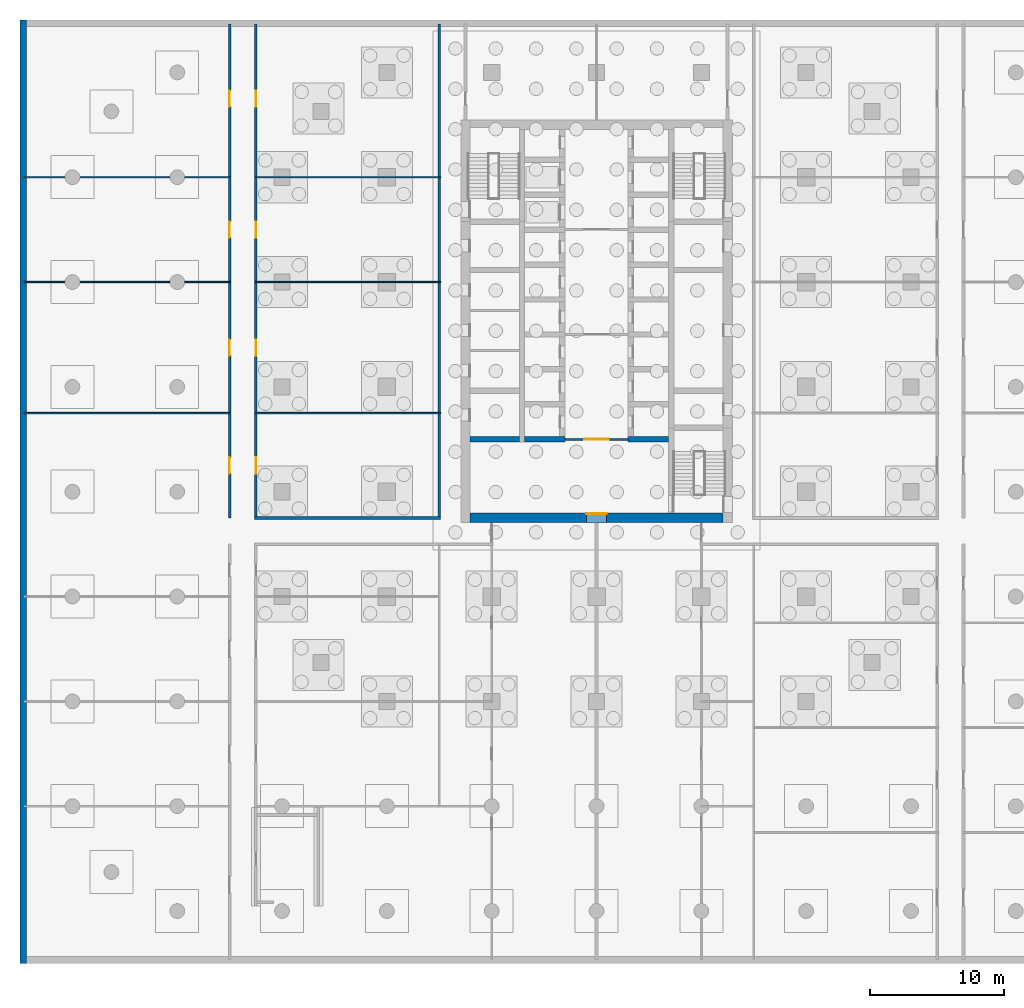
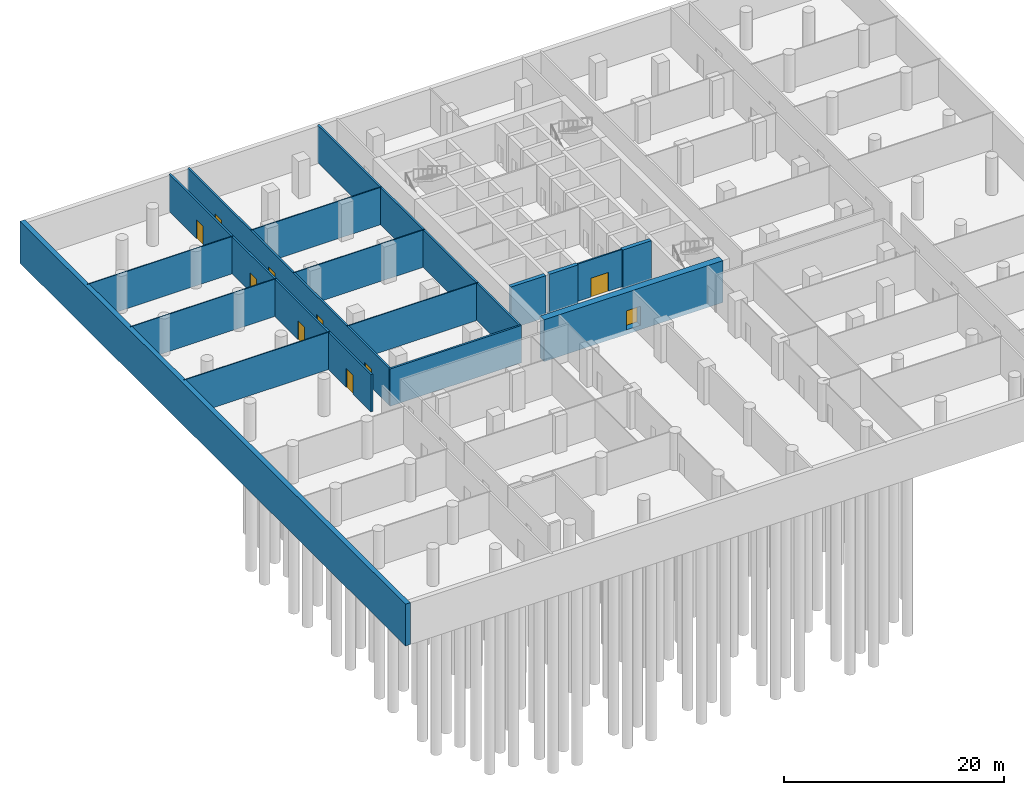
# One storey, part 6 of 16: 16 walls, 10 doors, 10 openings.
"""IFC4 building model written with IfcOpenShell, lengths in metres."""

from ifc_helpers import new_model, si_unit, direction, frame, frame_2d, origin, place, context, subcontext, project, spatial, rectangle, extrude, material, layer, layer_set, type_object, element, fill, save


model = new_model("IFC4")

# Units and contexts
model_context = context("Model", 3, precision=1e-05, world=origin(), true_north=direction((0.0, 1.0)))
body_context = subcontext(model_context, "Body", "Model", "MODEL_VIEW")
ifc_project = project(units=[si_unit("LENGTHUNIT", "METRE"), si_unit("AREAUNIT", "SQUARE_METRE"), si_unit("VOLUMEUNIT", "CUBIC_METRE"), si_unit("PLANEANGLEUNIT", "RADIAN"), si_unit("MASSUNIT", "GRAM", prefix="KILO")], contexts=[model_context])

# Site, building, storey
site_placement = place(None, origin())
site = spatial("IfcSite", under=ifc_project, at=site_placement, CompositionType="ELEMENT")
building_placement = place(site_placement, origin())
building = spatial("IfcBuilding", under=site, at=building_placement, Name="Ludao Terraces", CompositionType="ELEMENT")
storey_placement = place(building_placement, frame((0.0, 0.0, -9.0)))
storey = spatial("IfcBuildingStorey", under=building, at=storey_placement, Name="B2", CompositionType="ELEMENT", Elevation=-9.0)

# Wall
ifc_material_1 = material(Name="Concrete C40", Category="concrete")
ifc_layer_1 = layer(ifc_material_1, 0.5)
ifc_layer_set_1 = layer_set([ifc_layer_1], Name="Basement wall 500 C40")
wall_type_1 = type_object("IfcWallType", Name="Basement wall 500 C40", PredefinedType="SOLIDWALL", material=ifc_layer_set_1)
wall_1_placement = place(storey_placement, frame((42.35009765625, 22.10009765625, -0.5), z_axis=(0.0, 0.0, 1.0), x_axis=(0.0, 1.0, 0.0)))
element("IfcWall", 1, at=wall_1_placement, inside=storey, type_object=wall_type_1, Name="Basement wall W B2", PredefinedType="SOLIDWALL", context=body_context, shape_type="SweptSolid", body=[
    extrude(rectangle(XDim=70.199951171875, YDim=0.5, at=frame_2d((35.10009765625, 0.0))), origin(), (0.0, 0.0, 1.0), 4.64990234375),
])

# Wall, opening, door
ifc_material_2 = material(Name="Concrete C70", Category="concrete")
ifc_layer_2 = layer(ifc_material_2, 0.699951171875)
ifc_layer_set_2 = layer_set([ifc_layer_2], Name="Core wall 700 C70")
wall_type_2 = type_object("IfcWallType", Name="Core wall 700 C70", PredefinedType="SOLIDWALL", material=ifc_layer_set_2)
wall_2_placement = place(storey_placement, frame((75.60009765625, 55.25, -0.5), z_axis=(0.0, 0.0, 1.0), x_axis=(1.0, 0.0, 0.0)))
wall_2 = element("IfcWall", 2, at=wall_2_placement, inside=storey, type_object=wall_type_2, Name="Core wall B2 outer-S", PredefinedType="SOLIDWALL", context=body_context, shape_type="SweptSolid", body=[
    extrude(rectangle(XDim=18.7998046875, YDim=0.699951171875, at=frame_2d((9.39990234375, 0.0))), origin(), (0.0, 0.0, 1.0), 4.64990234375),
])
opening_1_placement = place(wall_2_placement, frame((8.64990234375, 0.0, 0.5)))
opening_1 = element("IfcOpeningElement", 3, at=opening_1_placement, cuts=wall_2, Name="Opening B2-025", PredefinedType="OPENING", context=body_context, shape_type="SweptSolid", body=[
    extrude(rectangle(XDim=1.5, YDim=2.10009765625, at=frame_2d((0.75, 1.050048828125))), frame((0.0, 0.35986328125, 0.0), z_axis=(0.0, -1.0, 0.0), x_axis=(1.0, 0.0, 0.0)), (0.0, 0.0, 1.0), 0.719970703125),
])
ifc_material_3 = material(Name="Steel Q235", Category="steel")
door_type_1 = type_object("IfcDoorType", Name="INT Lobby door 1500", OperationType="DOUBLE_DOOR_SINGLE_SWING", PredefinedType="DOOR", material=ifc_material_3)
door_1_placement = place(opening_1_placement, origin())
door_1 = element("IfcDoor", 4, at=door_1_placement, inside=storey, type_object=door_type_1, Name="DOOR 025", OperationType="DOUBLE_DOOR_SINGLE_SWING", OverallHeight=2.10009765625, OverallWidth=1.5, PredefinedType="DOOR", context=body_context, shape_type="SweptSolid", body=[
    extrude(rectangle(XDim=1.5, YDim=2.10009765625, at=frame_2d((0.75, 1.050048828125))), frame((0.0, 0.3349609375, 0.0), z_axis=(0.0, -1.0, 0.0), x_axis=(1.0, 0.0, 0.0)), (0.0, 0.0, 1.0), 0.050048828125),
])
fill(opening_1, door_1)

ifc_material_4 = material(Name="Fire-rated gypsum plasterboard", Category="gypsum")
ifc_layer_3 = layer(ifc_material_4, 0.012451171875, Category="gypsum")
ifc_material_5 = material(Name="Mineral wool")
ifc_layer_4 = layer(ifc_material_5, 0.10009765625, Name="insulation")
ifc_layer_5 = layer(ifc_material_3, 0.02490234375, Name="stud")
ifc_layer_6 = layer(ifc_material_4, 0.012451171875, Category="gypsum")
ifc_layer_set_3 = layer_set([ifc_layer_3, ifc_layer_4, ifc_layer_5, ifc_layer_6], Name="INT Core partition 150")
wall_type_3 = type_object("IfcWallType", Name="INT Core partition 150", PredefinedType="PARTITIONING", material=ifc_layer_set_3)
wall_3_placement = place(storey_placement, frame((82.650146484375, 61.10009765625, 0.0), z_axis=(0.0, 0.0, 1.0), x_axis=(1.0, 0.0, 0.0)))
wall_3 = element("IfcWall", 5, at=wall_3_placement, inside=storey, type_object=wall_type_3, Name="PW-B2-PW019", PredefinedType="PARTITIONING", context=body_context, shape_type="SweptSolid", body=[
    extrude(rectangle(XDim=4.699951171875, YDim=0.14990234375, at=frame_2d((2.35009765625, 0.0))), origin(), (0.0, 0.0, 1.0), 4.14990234375),
])
opening_2_placement = place(wall_3_placement, frame((1.449951171875, 0.0, 0.0)))
opening_2 = element("IfcOpeningElement", 6, at=opening_2_placement, cuts=wall_3, Name="Opening B2-032", PredefinedType="OPENING", context=body_context, shape_type="SweptSolid", body=[
    extrude(rectangle(XDim=1.800048828125, YDim=2.10009765625, at=frame_2d((0.89990234375, 1.050048828125))), frame((0.0, 0.0849609375, 0.0), z_axis=(0.0, -1.0, 0.0), x_axis=(1.0, 0.0, 0.0)), (0.0, 0.0, 1.0), 0.169921875),
])
door_type_2 = type_object("IfcDoorType", Name="INT Fire lobby door 1800", OperationType="DOUBLE_DOOR_SINGLE_SWING", PredefinedType="DOOR", material=ifc_material_3)
door_2_placement = place(opening_2_placement, origin())
door_2 = element("IfcDoor", 7, at=door_2_placement, inside=storey, type_object=door_type_2, Name="DOOR 032", OperationType="DOUBLE_DOOR_SINGLE_SWING", OverallHeight=2.10009765625, OverallWidth=1.800048828125, PredefinedType="DOOR", context=body_context, shape_type="SweptSolid", body=[
    extrude(rectangle(XDim=1.800048828125, YDim=2.10009765625, at=frame_2d((0.89990234375, 1.050048828125))), frame((0.0, 0.02490234375, 0.0), z_axis=(0.0, -1.0, 0.0), x_axis=(1.0, 0.0, 0.0)), (0.0, 0.0, 1.0), 0.050048828125),
])
fill(opening_2, door_2)

# Wall
ifc_material_6 = material(Name="Autoclaved aerated concrete block B06 A3.5", Category="concrete")
ifc_layer_7 = layer(ifc_material_6, 0.199951171875)
ifc_layer_set_4 = layer_set([ifc_layer_7], Name="INT Entrance wall 200")
wall_type_4 = type_object("IfcWallType", Name="INT Entrance wall 200", PredefinedType="PARTITIONING", material=ifc_layer_set_4)
wall_4_placement = place(storey_placement, frame((59.550048828125, 55.25, 0.0), z_axis=(0.0, 0.0, 1.0), x_axis=(1.0, 0.0, 0.0)))
element("IfcWall", 8, at=wall_4_placement, inside=storey, type_object=wall_type_4, Name="PW-B2-PW017", PredefinedType="PARTITIONING", context=body_context, shape_type="SweptSolid", body=[
    extrude(rectangle(XDim=13.85009765625, YDim=0.199951171875, at=frame_2d((6.925048828125, 0.0))), origin(), (0.0, 0.0, 1.0), 4.14990234375),
])

# Wall, openings, doors
wall_5_placement = place(storey_placement, frame((57.699951171875, 55.25, 0.0), z_axis=(0.0, 0.0, 1.0), x_axis=(0.0, 1.0, 0.0)))
wall_5 = element("IfcWall", 9, at=wall_5_placement, inside=storey, type_object=wall_type_4, Name="PW-B2-PW037", PredefinedType="PARTITIONING", context=body_context, shape_type="SweptSolid", body=[
    extrude(rectangle(XDim=36.75, YDim=0.199951171875, at=frame_2d((18.375, 0.0))), origin(), (0.0, 0.0, 1.0), 4.14990234375),
])
opening_3_placement = place(wall_5_placement, frame((3.300048828125, 0.0, 0.0)))
opening_3 = element("IfcOpeningElement", 10, at=opening_3_placement, cuts=wall_5, Name="Opening B2-028", PredefinedType="OPENING", context=body_context, shape_type="SweptSolid", body=[
    extrude(rectangle(XDim=1.199951171875, YDim=2.10009765625, at=frame_2d((0.60009765625, 1.050048828125))), frame((0.0, 0.10986328125, 0.0), z_axis=(0.0, -1.0, 0.0), x_axis=(1.0, 0.0, 0.0)), (0.0, 0.0, 1.0), 0.219970703125),
])
opening_4_placement = place(wall_5_placement, frame((12.0751953125, 0.0, 0.0)))
opening_4 = element("IfcOpeningElement", 11, at=opening_4_placement, cuts=wall_5, Name="Opening B2-042", PredefinedType="OPENING", context=body_context, shape_type="SweptSolid", body=[
    extrude(rectangle(XDim=1.199951171875, YDim=2.10009765625, at=frame_2d((0.60009765625, 1.050048828125))), frame((0.0, 0.10986328125, 0.0), z_axis=(0.0, -1.0, 0.0), x_axis=(1.0, 0.0, 0.0)), (0.0, 0.0, 1.0), 0.219970703125),
])
opening_5_placement = place(wall_5_placement, frame((20.85009765625, 0.0, 0.0)))
opening_5 = element("IfcOpeningElement", 12, at=opening_5_placement, cuts=wall_5, Name="Opening B2-058", PredefinedType="OPENING", context=body_context, shape_type="SweptSolid", body=[
    extrude(rectangle(XDim=1.199951171875, YDim=2.10009765625, at=frame_2d((0.60009765625, 1.050048828125))), frame((0.0, 0.10986328125, 0.0), z_axis=(0.0, -1.0, 0.0), x_axis=(1.0, 0.0, 0.0)), (0.0, 0.0, 1.0), 0.219970703125),
])
opening_6_placement = place(wall_5_placement, frame((30.60009765625, 0.0, 0.0)))
opening_6 = element("IfcOpeningElement", 13, at=opening_6_placement, cuts=wall_5, Name="Opening B2-071", PredefinedType="OPENING", context=body_context, shape_type="SweptSolid", body=[
    extrude(rectangle(XDim=1.199951171875, YDim=2.10009765625, at=frame_2d((0.60009765625, 1.050048828125))), frame((0.0, 0.10986328125, 0.0), z_axis=(0.0, -1.0, 0.0), x_axis=(1.0, 0.0, 0.0)), (0.0, 0.0, 1.0), 0.219970703125),
])
ifc_material_7 = material(Name="Timber door leaf", Category="wood")
door_type_3 = type_object("IfcDoorType", Name="INT Double door 1200", OperationType="DOUBLE_DOOR_SINGLE_SWING", PredefinedType="DOOR", material=ifc_material_7)
door_3_placement = place(opening_3_placement, origin())
door_3 = element("IfcDoor", 14, at=door_3_placement, inside=storey, type_object=door_type_3, Name="DOOR 028", OperationType="DOUBLE_DOOR_SINGLE_SWING", OverallHeight=2.10009765625, OverallWidth=1.199951171875, PredefinedType="DOOR", context=body_context, shape_type="SweptSolid", body=[
    extrude(rectangle(XDim=1.199951171875, YDim=2.10009765625, at=frame_2d((0.60009765625, 1.050048828125))), frame((0.0, 0.02490234375, 0.0), z_axis=(0.0, -1.0, 0.0), x_axis=(1.0, 0.0, 0.0)), (0.0, 0.0, 1.0), 0.050048828125),
])
fill(opening_3, door_3)
door_4_placement = place(opening_4_placement, origin())
door_4 = element("IfcDoor", 15, at=door_4_placement, inside=storey, type_object=door_type_3, Name="DOOR 042", OperationType="DOUBLE_DOOR_SINGLE_SWING", OverallHeight=2.10009765625, OverallWidth=1.199951171875, PredefinedType="DOOR", context=body_context, shape_type="SweptSolid", body=[
    extrude(rectangle(XDim=1.199951171875, YDim=2.10009765625, at=frame_2d((0.60009765625, 1.050048828125))), frame((0.0, 0.02490234375, 0.0), z_axis=(0.0, -1.0, 0.0), x_axis=(1.0, 0.0, 0.0)), (0.0, 0.0, 1.0), 0.050048828125),
])
fill(opening_4, door_4)
door_5_placement = place(opening_5_placement, origin())
door_5 = element("IfcDoor", 16, at=door_5_placement, inside=storey, type_object=door_type_3, Name="DOOR 058", OperationType="DOUBLE_DOOR_SINGLE_SWING", OverallHeight=2.10009765625, OverallWidth=1.199951171875, PredefinedType="DOOR", context=body_context, shape_type="SweptSolid", body=[
    extrude(rectangle(XDim=1.199951171875, YDim=2.10009765625, at=frame_2d((0.60009765625, 1.050048828125))), frame((0.0, 0.02490234375, 0.0), z_axis=(0.0, -1.0, 0.0), x_axis=(1.0, 0.0, 0.0)), (0.0, 0.0, 1.0), 0.050048828125),
])
fill(opening_5, door_5)
door_6_placement = place(opening_6_placement, origin())
door_6 = element("IfcDoor", 17, at=door_6_placement, inside=storey, type_object=door_type_3, Name="DOOR 071", OperationType="DOUBLE_DOOR_SINGLE_SWING", OverallHeight=2.10009765625, OverallWidth=1.199951171875, PredefinedType="DOOR", context=body_context, shape_type="SweptSolid", body=[
    extrude(rectangle(XDim=1.199951171875, YDim=2.10009765625, at=frame_2d((0.60009765625, 1.050048828125))), frame((0.0, 0.02490234375, 0.0), z_axis=(0.0, -1.0, 0.0), x_axis=(1.0, 0.0, 0.0)), (0.0, 0.0, 1.0), 0.050048828125),
])
fill(opening_6, door_6)

wall_6_placement = place(storey_placement, frame((59.64990234375, 55.35009765625, 0.0), z_axis=(0.0, 0.0, 1.0), x_axis=(0.0, 1.0, 0.0)))
wall_6 = element("IfcWall", 18, at=wall_6_placement, inside=storey, type_object=wall_type_4, Name="PW-B2-PW039", PredefinedType="PARTITIONING", context=body_context, shape_type="SweptSolid", body=[
    extrude(rectangle(XDim=36.64990234375, YDim=0.199951171875, at=frame_2d((18.324951171875, 0.0))), origin(), (0.0, 0.0, 1.0), 4.14990234375),
])
opening_7_placement = place(wall_6_placement, frame((3.199951171875, 0.0, 0.0)))
opening_7 = element("IfcOpeningElement", 19, at=opening_7_placement, cuts=wall_6, Name="Opening B2-029", PredefinedType="OPENING", context=body_context, shape_type="SweptSolid", body=[
    extrude(rectangle(XDim=1.199951171875, YDim=2.10009765625, at=frame_2d((0.60009765625, 1.050048828125))), frame((0.0, 0.10986328125, 0.0), z_axis=(0.0, -1.0, 0.0), x_axis=(1.0, 0.0, 0.0)), (0.0, 0.0, 1.0), 0.219970703125),
])
opening_8_placement = place(wall_6_placement, frame((11.97509765625, 0.0, 0.0)))
opening_8 = element("IfcOpeningElement", 20, at=opening_8_placement, cuts=wall_6, Name="Opening B2-043", PredefinedType="OPENING", context=body_context, shape_type="SweptSolid", body=[
    extrude(rectangle(XDim=1.199951171875, YDim=2.10009765625, at=frame_2d((0.60009765625, 1.050048828125))), frame((0.0, 0.10986328125, 0.0), z_axis=(0.0, -1.0, 0.0), x_axis=(1.0, 0.0, 0.0)), (0.0, 0.0, 1.0), 0.219970703125),
])
opening_9_placement = place(wall_6_placement, frame((20.75, 0.0, 0.0)))
opening_9 = element("IfcOpeningElement", 21, at=opening_9_placement, cuts=wall_6, Name="Opening B2-059", PredefinedType="OPENING", context=body_context, shape_type="SweptSolid", body=[
    extrude(rectangle(XDim=1.199951171875, YDim=2.10009765625, at=frame_2d((0.60009765625, 1.050048828125))), frame((0.0, 0.10986328125, 0.0), z_axis=(0.0, -1.0, 0.0), x_axis=(1.0, 0.0, 0.0)), (0.0, 0.0, 1.0), 0.219970703125),
])
opening_10_placement = place(wall_6_placement, frame((30.5, 0.0, 0.0)))
opening_10 = element("IfcOpeningElement", 22, at=opening_10_placement, cuts=wall_6, Name="Opening B2-072", PredefinedType="OPENING", context=body_context, shape_type="SweptSolid", body=[
    extrude(rectangle(XDim=1.199951171875, YDim=2.10009765625, at=frame_2d((0.60009765625, 1.050048828125))), frame((0.0, 0.10986328125, 0.0), z_axis=(0.0, -1.0, 0.0), x_axis=(1.0, 0.0, 0.0)), (0.0, 0.0, 1.0), 0.219970703125),
])
door_7_placement = place(opening_7_placement, origin())
door_7 = element("IfcDoor", 23, at=door_7_placement, inside=storey, type_object=door_type_3, Name="DOOR 029", OperationType="DOUBLE_DOOR_SINGLE_SWING", OverallHeight=2.10009765625, OverallWidth=1.199951171875, PredefinedType="DOOR", context=body_context, shape_type="SweptSolid", body=[
    extrude(rectangle(XDim=1.199951171875, YDim=2.10009765625, at=frame_2d((0.60009765625, 1.050048828125))), frame((0.0, 0.02490234375, 0.0), z_axis=(0.0, -1.0, 0.0), x_axis=(1.0, 0.0, 0.0)), (0.0, 0.0, 1.0), 0.050048828125),
])
fill(opening_7, door_7)
door_8_placement = place(opening_8_placement, origin())
door_8 = element("IfcDoor", 24, at=door_8_placement, inside=storey, type_object=door_type_3, Name="DOOR 043", OperationType="DOUBLE_DOOR_SINGLE_SWING", OverallHeight=2.10009765625, OverallWidth=1.199951171875, PredefinedType="DOOR", context=body_context, shape_type="SweptSolid", body=[
    extrude(rectangle(XDim=1.199951171875, YDim=2.10009765625, at=frame_2d((0.60009765625, 1.050048828125))), frame((0.0, 0.02490234375, 0.0), z_axis=(0.0, -1.0, 0.0), x_axis=(1.0, 0.0, 0.0)), (0.0, 0.0, 1.0), 0.050048828125),
])
fill(opening_8, door_8)
door_9_placement = place(opening_9_placement, origin())
door_9 = element("IfcDoor", 25, at=door_9_placement, inside=storey, type_object=door_type_3, Name="DOOR 059", OperationType="DOUBLE_DOOR_SINGLE_SWING", OverallHeight=2.10009765625, OverallWidth=1.199951171875, PredefinedType="DOOR", context=body_context, shape_type="SweptSolid", body=[
    extrude(rectangle(XDim=1.199951171875, YDim=2.10009765625, at=frame_2d((0.60009765625, 1.050048828125))), frame((0.0, 0.02490234375, 0.0), z_axis=(0.0, -1.0, 0.0), x_axis=(1.0, 0.0, 0.0)), (0.0, 0.0, 1.0), 0.050048828125),
])
fill(opening_9, door_9)
door_10_placement = place(opening_10_placement, origin())
door_10 = element("IfcDoor", 26, at=door_10_placement, inside=storey, type_object=door_type_3, Name="DOOR 072", OperationType="DOUBLE_DOOR_SINGLE_SWING", OverallHeight=2.10009765625, OverallWidth=1.199951171875, PredefinedType="DOOR", context=body_context, shape_type="SweptSolid", body=[
    extrude(rectangle(XDim=1.199951171875, YDim=2.10009765625, at=frame_2d((0.60009765625, 1.050048828125))), frame((0.0, 0.02490234375, 0.0), z_axis=(0.0, -1.0, 0.0), x_axis=(1.0, 0.0, 0.0)), (0.0, 0.0, 1.0), 0.050048828125),
])
fill(opening_10, door_10)

# Walls
wall_7_placement = place(storey_placement, frame((73.300048828125, 55.35009765625, 0.0), z_axis=(0.0, 0.0, 1.0), x_axis=(0.0, 1.0, 0.0)))
element("IfcWall", 27, at=wall_7_placement, inside=storey, type_object=wall_type_4, Name="PW-B2-PW042", PredefinedType="PARTITIONING", context=body_context, shape_type="SweptSolid", body=[
    extrude(rectangle(XDim=36.64990234375, YDim=0.199951171875, at=frame_2d((18.324951171875, 0.0))), origin(), (0.0, 0.0, 1.0), 4.14990234375),
])
ifc_material_8 = material(Name="Gypsum plasterboard", Category="gypsum")
ifc_layer_8 = layer(ifc_material_8, 0.012451171875, Category="gypsum")
ifc_layer_9 = layer(ifc_material_5, 0.06005859375, Name="insulation")
ifc_layer_10 = layer(ifc_material_3, 0.014892578125, Name="stud")
ifc_layer_11 = layer(ifc_material_8, 0.012451171875, Category="gypsum")
ifc_layer_set_5 = layer_set([ifc_layer_8, ifc_layer_9, ifc_layer_10, ifc_layer_11], Name="INT Partition 100")
wall_type_5 = type_object("IfcWallType", Name="INT Partition 100", PredefinedType="PARTITIONING", material=ifc_layer_set_5)
wall_8_placement = place(storey_placement, frame((42.400146484375, 63.050048828125, 0.0), z_axis=(0.0, 0.0, 1.0), x_axis=(1.0, 0.0, 0.0)))
element("IfcWall", 28, at=wall_8_placement, inside=storey, type_object=wall_type_5, Name="PW-B2-PW020", PredefinedType="PARTITIONING", context=body_context, shape_type="SweptSolid", body=[
    extrude(rectangle(XDim=15.39990234375, YDim=0.10009765625, at=frame_2d((7.699951171875, 0.0))), origin(), (0.0, 0.0, 1.0), 4.14990234375),
])
wall_9_placement = place(storey_placement, frame((59.550048828125, 63.050048828125, 0.0), z_axis=(0.0, 0.0, 1.0), x_axis=(1.0, 0.0, 0.0)))
element("IfcWall", 29, at=wall_9_placement, inside=storey, type_object=wall_type_5, Name="PW-B2-PW021", PredefinedType="PARTITIONING", context=body_context, shape_type="SweptSolid", body=[
    extrude(rectangle(XDim=13.85009765625, YDim=0.10009765625, at=frame_2d((6.925048828125, 0.0))), origin(), (0.0, 0.0, 1.0), 4.14990234375),
])
wall_10_placement = place(storey_placement, frame((42.400146484375, 72.800048828125, 0.0), z_axis=(0.0, 0.0, 1.0), x_axis=(1.0, 0.0, 0.0)))
element("IfcWall", 30, at=wall_10_placement, inside=storey, type_object=wall_type_5, Name="PW-B2-PW027", PredefinedType="PARTITIONING", context=body_context, shape_type="SweptSolid", body=[
    extrude(rectangle(XDim=15.39990234375, YDim=0.10009765625, at=frame_2d((7.699951171875, 0.0))), origin(), (0.0, 0.0, 1.0), 4.14990234375),
])
wall_11_placement = place(storey_placement, frame((59.550048828125, 72.800048828125, 0.0), z_axis=(0.0, 0.0, 1.0), x_axis=(1.0, 0.0, 0.0)))
element("IfcWall", 31, at=wall_11_placement, inside=storey, type_object=wall_type_5, Name="PW-B2-PW028", PredefinedType="PARTITIONING", context=body_context, shape_type="SweptSolid", body=[
    extrude(rectangle(XDim=13.85009765625, YDim=0.10009765625, at=frame_2d((6.925048828125, 0.0))), origin(), (0.0, 0.0, 1.0), 4.14990234375),
])
wall_12_placement = place(storey_placement, frame((42.400146484375, 80.60009765625, 0.0), z_axis=(0.0, 0.0, 1.0), x_axis=(1.0, 0.0, 0.0)))
element("IfcWall", 32, at=wall_12_placement, inside=storey, type_object=wall_type_5, Name="PW-B2-PW032", PredefinedType="PARTITIONING", context=body_context, shape_type="SweptSolid", body=[
    extrude(rectangle(XDim=15.39990234375, YDim=0.10009765625, at=frame_2d((7.699951171875, 0.0))), origin(), (0.0, 0.0, 1.0), 4.14990234375),
])
wall_13_placement = place(storey_placement, frame((59.550048828125, 80.60009765625, 0.0), z_axis=(0.0, 0.0, 1.0), x_axis=(1.0, 0.0, 0.0)))
element("IfcWall", 33, at=wall_13_placement, inside=storey, type_object=wall_type_5, Name="PW-B2-PW033", PredefinedType="PARTITIONING", context=body_context, shape_type="SweptSolid", body=[
    extrude(rectangle(XDim=13.85009765625, YDim=0.10009765625, at=frame_2d((6.925048828125, 0.0))), origin(), (0.0, 0.0, 1.0), 4.14990234375),
])
ifc_material_9 = material(Name="Concrete C60", Category="concrete")
ifc_layer_12 = layer(ifc_material_9, 0.39990234375)
ifc_layer_set_6 = layer_set([ifc_layer_12], Name="Shaft wall 400 C60")
wall_type_6 = type_object("IfcWallType", Name="Shaft wall 400 C60", PredefinedType="SOLIDWALL", material=ifc_layer_set_6)
for number, where, z_axis, x_axis, name in (
    (34, (79.64990234375, 61.10009765625, -0.5), (0.0, 0.0, 1.0), (1.0, 0.0, 0.0), "Core wall B2 div-W1"),
    (35, (87.35009765625, 61.10009765625, -0.5), (0.0, 0.0, 1.0), (1.0, 0.0, 0.0), "Core wall B2 div-E1"),
):
    element("IfcWall", number, at=place(storey_placement, frame(where, z_axis=z_axis, x_axis=x_axis)), inside=storey, type_object=wall_type_6, Name=name, PredefinedType="SOLIDWALL", context=body_context, shape_type="SweptSolid", body=[
        extrude(rectangle(XDim=3.0, YDim=0.39990234375, at=frame_2d((1.5, 0.0))), origin(), (0.0, 0.0, 1.0), 4.64990234375),
    ])
wall_14_placement = place(storey_placement, frame((75.60009765625, 61.10009765625, -0.5), z_axis=(0.0, 0.0, 1.0), x_axis=(1.0, 0.0, 0.0)))
element("IfcWall", 36, at=wall_14_placement, inside=storey, type_object=wall_type_6, Name="Core wall B2 hall-W", PredefinedType="SOLIDWALL", context=body_context, shape_type="SweptSolid", body=[
    extrude(rectangle(XDim=3.64990234375, YDim=0.39990234375, at=frame_2d((1.824951171875, 0.0))), origin(), (0.0, 0.0, 1.0), 4.64990234375),
])

save(model, "model.ifc")
